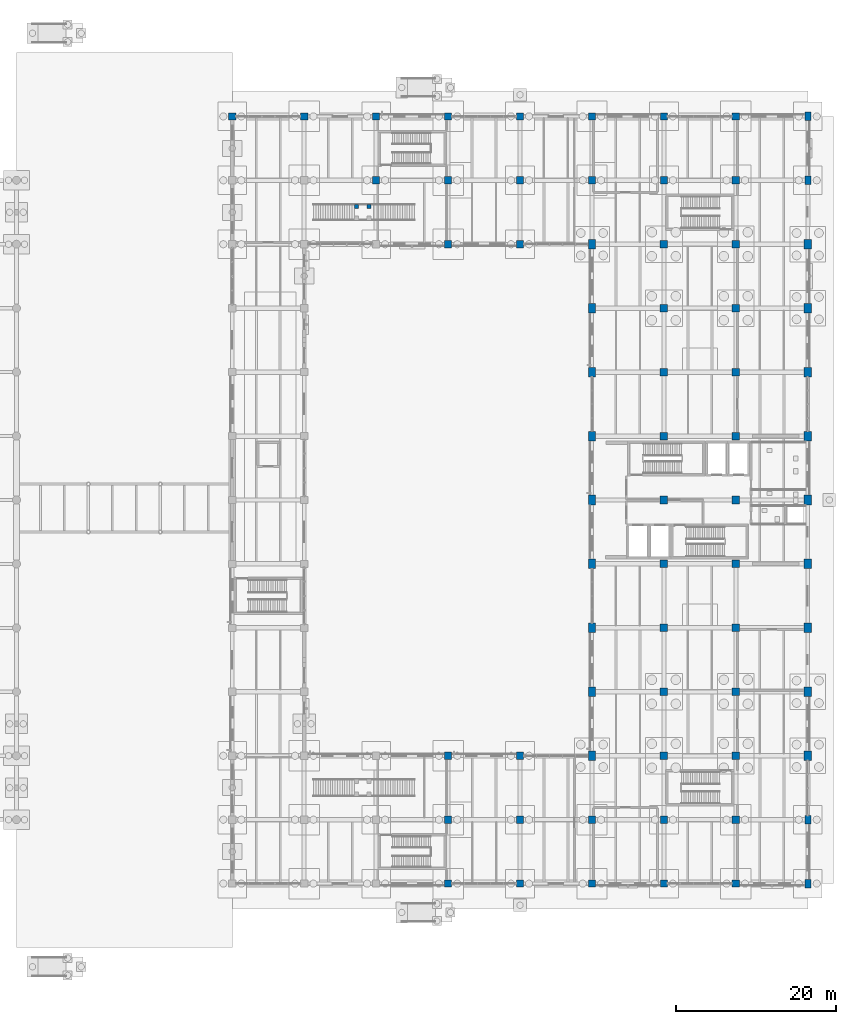
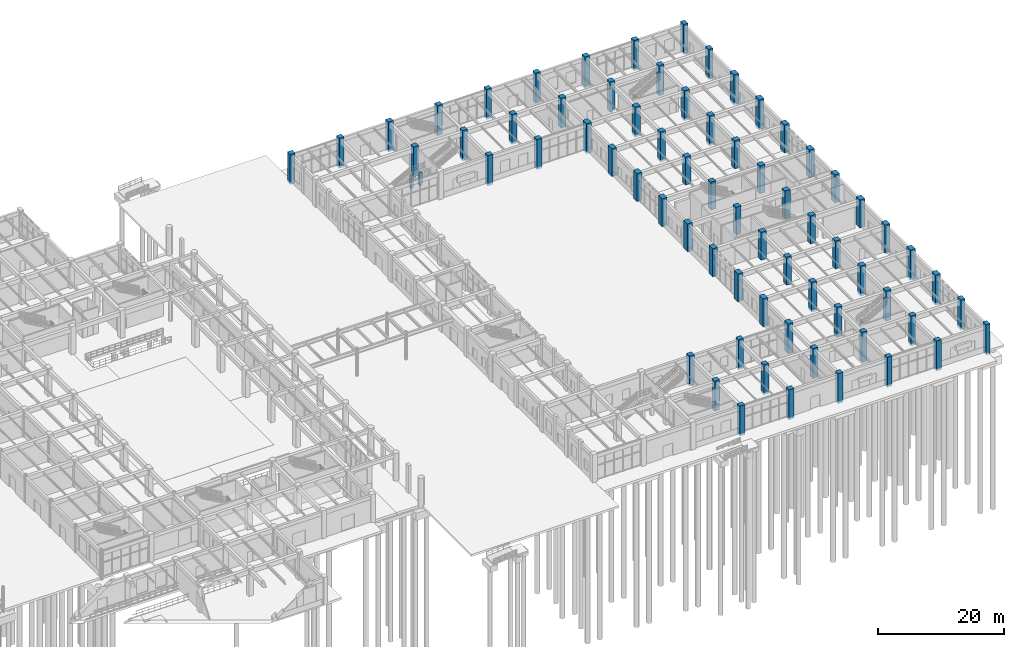
# One storey, part 15 of 121: 70 columns.
"""IFC4 building model written with IfcOpenShell, lengths in metres."""

import ifcopenshell
import ifcopenshell.guid

model = None  # the IFC model being written
_history = None  # IfcOwnerHistory: only IFC2X3 demands one
_inside = {}  # id of a spatial element -> (the spatial element, [elements in it])
_under = {}  # id of a project, library or spatial element -> (it, [spatial elements below it])
_declared = {}  # id of a project -> (the project, [libraries it declares])
_typed = {}  # id of a type object -> (the type object, [elements of that type])
_made_of = {}  # id of a material, layer set ... -> (it, [elements and type objects made of it])


def new_model(schema):
    """Start an empty IFC model of exactly this schema.

    Asked for "IFC4X3", IfcOpenShell would pick the latest addendum, in which some entities
    have other attributes; the version numbers below select the first issue.
    IFC2X3 requires an IfcOwnerHistory on every rooted entity: one is made here for all.
    """
    global model, _history
    if schema == "IFC4X3":
        model = ifcopenshell.file(schema_version=(4, 3, 0, 0))
    else:
        model = ifcopenshell.file(schema=schema)
    _inside.clear()
    _under.clear()
    _declared.clear()
    _typed.clear()
    _made_of.clear()
    _history = None
    if model.schema == "IFC2X3":
        org = make("IfcOrganization", Name="unknown")
        user = make(
            "IfcPersonAndOrganization",
            ThePerson=make("IfcPerson", FamilyName="unknown"),
            TheOrganization=org,
        )
        app = make(
            "IfcApplication",
            ApplicationDeveloper=org,
            Version="unknown",
            ApplicationFullName="unknown",
            ApplicationIdentifier="unknown",
        )
        _history = make(
            "IfcOwnerHistory",
            OwningUser=user,
            OwningApplication=app,
            ChangeAction="ADDED",
            CreationDate=0,
        )
    return model


def make(cls, **values):
    """One entity of the class cls with the attributes given. An attribute that is None is left unset."""
    return model.create_entity(
        cls, **{name: value for name, value in values.items() if value is not None}
    )


def rooted(cls, **values):
    """An entity with a GlobalId (a new one), such as an element, a storey or a relation."""
    return make(cls, GlobalId=ifcopenshell.guid.new(), OwnerHistory=_history, **values)


def si_unit(unit_type, name, prefix=None):
    """IfcSIUnit, for example si_unit("LENGTHUNIT", "METRE", prefix="MILLI")."""
    return make("IfcSIUnit", UnitType=unit_type, Prefix=prefix, Name=name)


def derived_unit(unit_type, elements):
    """IfcDerivedUnit: a product of units, each with its exponent."""
    return make(
        "IfcDerivedUnit",
        Elements=[
            make("IfcDerivedUnitElement", Unit=unit, Exponent=power)
            for unit, power in elements
        ],
        UnitType=unit_type,
    )


def assignment(units):
    """IfcUnitAssignment: the units of a project."""
    return None if units is None else make("IfcUnitAssignment", Units=units)


def point(xyz):
    """IfcCartesianPoint."""
    return None if xyz is None else make("IfcCartesianPoint", Coordinates=xyz)


def direction(xyz):
    """IfcDirection."""
    return None if xyz is None else make("IfcDirection", DirectionRatios=xyz)


def frame(location, z_axis=None, x_axis=None):
    """IfcAxis2Placement3D, a coordinate frame: its origin and axes. An axis left out is left unset."""
    return make(
        "IfcAxis2Placement3D",
        Location=point(location),
        Axis=direction(z_axis),
        RefDirection=direction(x_axis),
    )


def frame_2d(location, x_axis=None):
    """IfcAxis2Placement2D, a coordinate frame in the plane: its origin and x axis."""
    return make(
        "IfcAxis2Placement2D", Location=point(location), RefDirection=direction(x_axis)
    )


def origin():
    """The frame at (0, 0, 0) with its axes left unset."""
    return frame((0.0, 0.0, 0.0))


def origin_2d():
    """The frame at (0, 0) in the plane with its x axis left unset."""
    return frame_2d((0.0, 0.0))


def place(relative_to, where):
    """IfcLocalPlacement: puts the frame where relative to a parent placement (None: the world)."""
    return make(
        "IfcLocalPlacement", PlacementRelTo=relative_to, RelativePlacement=where
    )


def context(
    kind, dimensions, precision=None, world=None, true_north=None, identifier=None
):
    """IfcGeometricRepresentationContext, for example the 3D "Model" context."""
    return make(
        "IfcGeometricRepresentationContext",
        ContextIdentifier=identifier,
        ContextType=kind,
        CoordinateSpaceDimension=dimensions,
        Precision=precision,
        WorldCoordinateSystem=world,
        TrueNorth=true_north,
    )


def subcontext(parent, identifier, kind, view, scale=None):
    """IfcGeometricRepresentationSubContext, for example "Body" below "Model"."""
    return make(
        "IfcGeometricRepresentationSubContext",
        ContextIdentifier=identifier,
        ContextType=kind,
        ParentContext=parent,
        TargetScale=scale,
        TargetView=view,
    )


def project(units=None, contexts=None):
    """IfcProject with its units and contexts."""
    return rooted(
        "IfcProject",
        Name="project",
        RepresentationContexts=contexts,
        UnitsInContext=assignment(units),
    )


def spatial(cls, under=None, at=None, **own):
    """A site, building, storey or space (cls), placed at a placement, below another one or the project."""
    s = rooted(cls, ObjectPlacement=at, **own)
    if under is not None:
        _under.setdefault(under.id(), (under, []))[1].append(s)
    return s


def profile(cls, at=None, kind="AREA", **sizes):
    """A parametric profile (cls). Its sizes go by their IFC names, for example OverallWidth=200.0."""
    return make(cls, ProfileType=kind, Position=at, **sizes)


def rectangle(**sizes):
    """IfcRectangleProfileDef."""
    return profile("IfcRectangleProfileDef", **sizes)


def extrude(swept, where, along, depth):
    """IfcExtrudedAreaSolid: the profile swept, set in the frame where, extruded along a direction by depth."""
    return make(
        "IfcExtrudedAreaSolid",
        SweptArea=swept,
        Position=where,
        ExtrudedDirection=direction(along),
        Depth=depth,
    )


def shape(context_of_items, identifier, shape_type, items):
    """IfcShapeRepresentation: the items that make up one representation, for example the "Body"."""
    return make(
        "IfcShapeRepresentation",
        ContextOfItems=context_of_items,
        RepresentationIdentifier=identifier,
        RepresentationType=shape_type,
        Items=items,
    )


def material(Name=None, Category=None):
    """IfcMaterial."""
    return make("IfcMaterial", Name=Name, Category=Category)


def material_profile(
    of_material, cross_section, Name=None, Category=None, Priority=None
):
    """IfcMaterialProfile: a cross section and its material."""
    return make(
        "IfcMaterialProfile",
        Name=Name,
        Material=of_material,
        Profile=cross_section,
        Priority=Priority,
        Category=Category,
    )


def profile_set(profiles, Name=None, composite=None):
    """IfcMaterialProfileSet."""
    return make(
        "IfcMaterialProfileSet",
        Name=Name,
        MaterialProfiles=profiles,
        CompositeProfile=composite,
    )


def made_of(thing, what):
    """Note that an element or type object is made of a material, layer set ...; save() writes the relation."""
    if what is not None:
        _made_of.setdefault(what.id(), (what, []))[1].append(thing)
    return thing


def type_object(cls, material=None, **own):
    """A type object (cls), such as IfcWallType, which elements share."""
    return made_of(rooted(cls, **own), material)


def element(
    cls,
    number,
    at=None,
    inside=None,
    cuts=None,
    type_object=None,
    material=None,
    context=None,
    identifier="Body",
    shape_type=None,
    held_by="IfcProductDefinitionShape",
    body=None,
    shapes=None,
    **own,
):
    """One element of the class cls, such as IfcWall. Its Tag is "e" and its number.

    at: its placement. inside: the storey or other place that contains it. cuts: it is an
    opening in that element (IfcRelVoidsElement). A single representation is given by context,
    identifier, shape_type and body (its items); several are given by shapes. held_by: the class
    of the entity that holds the representations. save() writes the other relations.
    """
    e = rooted(cls, Tag="e%d" % number, ObjectPlacement=at, **own)
    if body is not None:
        shapes = [shape(context, identifier, shape_type, body)]
    if shapes is not None:
        e.Representation = make(held_by, Representations=shapes)
    if inside is not None:
        _inside.setdefault(inside.id(), (inside, []))[1].append(e)
    if cuts is not None:
        rooted(
            "IfcRelVoidsElement", RelatingBuildingElement=cuts, RelatedOpeningElement=e
        )
    if type_object is not None:
        _typed.setdefault(type_object.id(), (type_object, []))[1].append(e)
    return made_of(e, material)


def aggregate(whole, parts):
    """IfcRelAggregates: a whole, such as a stair, and the parts it consists of."""
    return rooted("IfcRelAggregates", RelatingObject=whole, RelatedObjects=parts)


def save(model, path):
    """Write the relations noted so far, then the file.

    IfcRelAggregates (storeys below a building ...), IfcRelContainedInSpatialStructure (elements
    in a storey), IfcRelDefinesByType, IfcRelAssociatesMaterial and IfcRelDeclares: one each for
    every whole, place, type object, material and project.
    """
    for whole, parts in _under.values():
        aggregate(whole, parts)
    for where, things in _inside.values():
        rooted(
            "IfcRelContainedInSpatialStructure",
            RelatedElements=things,
            RelatingStructure=where,
        )
    for kind, things in _typed.values():
        rooted("IfcRelDefinesByType", RelatedObjects=things, RelatingType=kind)
    for what, things in _made_of.values():
        rooted("IfcRelAssociatesMaterial", RelatedObjects=things, RelatingMaterial=what)
    for by, libraries in _declared.values():
        rooted("IfcRelDeclares", RelatingContext=by, RelatedDefinitions=libraries)
    model.write(path)


model = new_model("IFC4")

# Units and contexts
model_context = context("Model", 3, precision=1e-05, world=origin(), true_north=direction((0.0, 1.0)))
body_context = subcontext(model_context, "Body", "Model", "MODEL_VIEW")
ifc_project = project(units=[si_unit("LENGTHUNIT", "METRE"), si_unit("AREAUNIT", "SQUARE_METRE"), si_unit("VOLUMEUNIT", "CUBIC_METRE"), si_unit("PLANEANGLEUNIT", "RADIAN"), si_unit("MASSUNIT", "GRAM", prefix="KILO"), derived_unit("THERMALTRANSMITTANCEUNIT", [(si_unit("MASSUNIT", "GRAM", prefix="KILO"), 1), (si_unit("TIMEUNIT", "SECOND"), -3), (si_unit("THERMODYNAMICTEMPERATUREUNIT", "KELVIN"), -1)])], contexts=[model_context])

# Site, building, storey
site_placement = place(None, origin())
site = spatial("IfcSite", under=ifc_project, at=site_placement, CompositionType="ELEMENT")
building_placement = place(site_placement, origin())
building = spatial("IfcBuilding", under=site, at=building_placement, Name="Zhenchuan Archway Interchange", CompositionType="ELEMENT")
storey_placement = place(building_placement, origin())
storey = spatial("IfcBuildingStorey", under=building, at=storey_placement, Name="L00", CompositionType="ELEMENT", Elevation=0.0)

# Columns
ifc_material_1 = material(Name="Concrete C40", Category="concrete")
ifc_material_profile_1 = material_profile(ifc_material_1, rectangle(XDim=0.5, YDim=0.5, at=origin_2d()), Name="RC 500x500")
ifc_profile_set_1 = profile_set([ifc_material_profile_1], Name="Concrete C40")
column_type_1 = type_object("IfcColumnType", Name="COL_RC_500_LND", PredefinedType="COLUMN", material=ifc_profile_set_1)
for number, where, z_axis, x_axis, name in (
    (1, (114.530029296875, 92.699951171875, 0.0), (0.0, 0.0, 1.0), (1.0, 0.0, 0.0), "Stair ST-P6 landing support column 3"),
    (2, (116.1298828125, 92.699951171875, 0.0), (0.0, 0.0, 1.0), (1.0, 0.0, 0.0), "Stair ST-P6 landing support column 4"),
):
    element("IfcColumn", number, at=place(storey_placement, frame(where, z_axis=z_axis, x_axis=x_axis)), inside=storey, type_object=column_type_1, Name=name, PredefinedType="COLUMN", context=body_context, shape_type="SweptSolid", body=[
        extrude(rectangle(XDim=0.5, YDim=0.5, at=origin_2d()), origin(), (0.0, 0.0, 1.0), 2.47998046875),
    ])
ifc_material_2 = material(Name="Concrete C50", Category="concrete")
ifc_material_profile_2 = material_profile(ifc_material_2, rectangle(XDim=0.75, YDim=1.050048828125, at=origin_2d()), Name="RC 750x1050")
ifc_profile_set_2 = profile_set([ifc_material_profile_2], Name="Concrete C50")
column_type_2 = type_object("IfcColumnType", Name="COL_RC_750x1050", PredefinedType="COLUMN", material=ifc_profile_set_2)
for number, where, z_axis, x_axis, name in (
    (3, (171.0, 8.0, -0.419921875), (0.0, 0.0, 1.0), (1.0, 0.0, 0.0), "Column 20/B (L00)"),
    (4, (171.0, 16.0, -0.419921875), (0.0, 0.0, 1.0), (1.0, 0.0, 0.0), "Column 20/C (L00)"),
    (5, (171.0, 96.0, -0.419921875), (0.0, 0.0, 1.0), (1.0, 0.0, 0.0), "Column 20/N (L00)"),
    (6, (171.0, 104.0, -0.419921875), (0.0, 0.0, 1.0), (1.0, 0.0, 0.0), "Column 20/O (L00)"),
):
    element("IfcColumn", number, at=place(storey_placement, frame(where, z_axis=z_axis, x_axis=x_axis)), inside=storey, type_object=column_type_2, Name=name, PredefinedType="COLUMN", context=body_context, shape_type="SweptSolid", body=[
        extrude(rectangle(XDim=0.75, YDim=1.050048828125, at=origin_2d()), origin(), (0.0, 0.0, 1.0), 5.81982421875),
    ])
ifc_material_profile_3 = material_profile(ifc_material_2, rectangle(XDim=0.89990234375, YDim=0.89990234375, at=origin_2d()), Name="RC 900x900")
ifc_profile_set_3 = profile_set([ifc_material_profile_3], Name="Concrete C50")
column_type_3 = type_object("IfcColumnType", Name="COL_RC_900_T", PredefinedType="COLUMN", material=ifc_profile_set_3)
for number, where, z_axis, x_axis, name in (
    (7, (99.0, 104.0, -0.419921875), (0.0, 0.0, 1.0), (1.0, 0.0, 0.0), "Column 12/O (L00)"),
    (8, (108.0, 104.0, -0.419921875), (0.0, 0.0, 1.0), (1.0, 0.0, 0.0), "Column 13/O (L00)"),
    (9, (117.0, 96.0, -0.419921875), (0.0, 0.0, 1.0), (1.0, 0.0, 0.0), "Column 14/N (L00)"),
    (10, (117.0, 104.0, -0.419921875), (0.0, 0.0, 1.0), (1.0, 0.0, 0.0), "Column 14/O (L00)"),
    (11, (126.0, 8.0, -0.419921875), (0.0, 0.0, 1.0), (1.0, 0.0, 0.0), "Column 15/B (L00)"),
    (12, (126.0, 16.0, -0.419921875), (0.0, 0.0, 1.0), (1.0, 0.0, 0.0), "Column 15/C (L00)"),
    (13, (126.0, 24.0, -0.419921875), (0.0, 0.0, 1.0), (1.0, 0.0, 0.0), "Column 15/D (L00)"),
    (14, (126.0, 88.0, -0.419921875), (0.0, 0.0, 1.0), (1.0, 0.0, 0.0), "Column 15/M (L00)"),
    (15, (126.0, 96.0, -0.419921875), (0.0, 0.0, 1.0), (1.0, 0.0, 0.0), "Column 15/N (L00)"),
    (16, (126.0, 104.0, -0.419921875), (0.0, 0.0, 1.0), (1.0, 0.0, 0.0), "Column 15/O (L00)"),
    (17, (135.0, 8.0, -0.419921875), (0.0, 0.0, 1.0), (1.0, 0.0, 0.0), "Column 16/B (L00)"),
    (18, (135.0, 16.0, -0.419921875), (0.0, 0.0, 1.0), (1.0, 0.0, 0.0), "Column 16/C (L00)"),
    (19, (135.0, 24.0, -0.419921875), (0.0, 0.0, 1.0), (1.0, 0.0, 0.0), "Column 16/D (L00)"),
    (20, (135.0, 88.0, -0.419921875), (0.0, 0.0, 1.0), (1.0, 0.0, 0.0), "Column 16/M (L00)"),
    (21, (135.0, 96.0, -0.419921875), (0.0, 0.0, 1.0), (1.0, 0.0, 0.0), "Column 16/N (L00)"),
    (22, (135.0, 104.0, -0.419921875), (0.0, 0.0, 1.0), (1.0, 0.0, 0.0), "Column 16/O (L00)"),
    (23, (144.0, 8.0, -0.419921875), (0.0, 0.0, 1.0), (1.0, 0.0, 0.0), "Column 17/B (L00)"),
    (24, (144.0, 16.0, -0.419921875), (0.0, 0.0, 1.0), (1.0, 0.0, 0.0), "Column 17/C (L00)"),
    (25, (144.0, 96.0, -0.419921875), (0.0, 0.0, 1.0), (1.0, 0.0, 0.0), "Column 17/N (L00)"),
    (26, (144.0, 104.0, -0.419921875), (0.0, 0.0, 1.0), (1.0, 0.0, 0.0), "Column 17/O (L00)"),
    (27, (153.0, 8.0, -0.419921875), (0.0, 0.0, 1.0), (1.0, 0.0, 0.0), "Column 18/B (L00)"),
    (28, (153.0, 16.0, -0.419921875), (0.0, 0.0, 1.0), (1.0, 0.0, 0.0), "Column 18/C (L00)"),
    (29, (153.0, 96.0, -0.419921875), (0.0, 0.0, 1.0), (1.0, 0.0, 0.0), "Column 18/N (L00)"),
    (30, (153.0, 104.0, -0.419921875), (0.0, 0.0, 1.0), (1.0, 0.0, 0.0), "Column 18/O (L00)"),
    (31, (162.0, 8.0, -0.419921875), (0.0, 0.0, 1.0), (1.0, 0.0, 0.0), "Column 19/B (L00)"),
    (32, (162.0, 16.0, -0.419921875), (0.0, 0.0, 1.0), (1.0, 0.0, 0.0), "Column 19/C (L00)"),
    (33, (162.0, 96.0, -0.419921875), (0.0, 0.0, 1.0), (1.0, 0.0, 0.0), "Column 19/N (L00)"),
    (34, (162.0, 104.0, -0.419921875), (0.0, 0.0, 1.0), (1.0, 0.0, 0.0), "Column 19/O (L00)"),
):
    element("IfcColumn", number, at=place(storey_placement, frame(where, z_axis=z_axis, x_axis=x_axis)), inside=storey, type_object=column_type_3, Name=name, PredefinedType="COLUMN", context=body_context, shape_type="SweptSolid", body=[
        extrude(rectangle(XDim=0.89990234375, YDim=0.89990234375, at=origin_2d()), origin(), (0.0, 0.0, 1.0), 5.81982421875),
    ])
ifc_material_profile_4 = material_profile(ifc_material_2, rectangle(XDim=0.89990234375, YDim=1.199951171875, at=origin_2d()), Name="RC 900x1200")
ifc_profile_set_4 = profile_set([ifc_material_profile_4], Name="Concrete C50")
column_type_4 = type_object("IfcColumnType", Name="COL_RC_900x1200", PredefinedType="COLUMN", material=ifc_profile_set_4)
column_placement = place(storey_placement, frame((144.0, 24.0, -0.419921875), z_axis=(0.0, 0.0, 1.0), x_axis=(1.0, 0.0, 0.0)))
element("IfcColumn", 35, at=column_placement, inside=storey, type_object=column_type_4, Name="Column 17/D (L00)", PredefinedType="COLUMN", context=body_context, shape_type="SweptSolid", body=[
    extrude(rectangle(XDim=0.89990234375, YDim=1.199951171875, at=origin_2d()), origin(), (0.0, 0.0, 1.0), 5.81982421875),
])
for number, where, z_axis, x_axis, name in (
    (36, (144.0, 32.0, 0.0), (0.0, 0.0, 1.0), (1.0, 0.0, 0.0), "Column 17/E (L00)"),
    (37, (144.0, 40.0, 0.0), (0.0, 0.0, 1.0), (1.0, 0.0, 0.0), "Column 17/F (L00)"),
    (38, (144.0, 48.0, 0.0), (0.0, 0.0, 1.0), (1.0, 0.0, 0.0), "Column 17/G (L00)"),
    (39, (144.0, 56.0, 0.0), (0.0, 0.0, 1.0), (1.0, 0.0, 0.0), "Column 17/H (L00)"),
    (40, (144.0, 64.0, 0.0), (0.0, 0.0, 1.0), (1.0, 0.0, 0.0), "Column 17/J (L00)"),
    (41, (144.0, 72.0, 0.0), (0.0, 0.0, 1.0), (1.0, 0.0, 0.0), "Column 17/K (L00)"),
    (42, (144.0, 80.0, 0.0), (0.0, 0.0, 1.0), (1.0, 0.0, 0.0), "Column 17/L (L00)"),
):
    element("IfcColumn", number, at=place(storey_placement, frame(where, z_axis=z_axis, x_axis=x_axis)), inside=storey, type_object=column_type_4, Name=name, PredefinedType="COLUMN", context=body_context, shape_type="SweptSolid", body=[
        extrude(rectangle(XDim=0.89990234375, YDim=1.199951171875, at=origin_2d()), origin(), (0.0, 0.0, 1.0), 5.39990234375),
    ])
for number, where, z_axis, x_axis, name in (
    (43, (144.0, 88.0, -0.419921875), (0.0, 0.0, 1.0), (1.0, 0.0, 0.0), "Column 17/M (L00)"),
    (44, (171.0, 24.0, -0.419921875), (0.0, 0.0, 1.0), (1.0, 0.0, 0.0), "Column 20/D (L00)"),
    (45, (171.0, 32.0, -0.419921875), (0.0, 0.0, 1.0), (1.0, 0.0, 0.0), "Column 20/E (L00)"),
):
    element("IfcColumn", number, at=place(storey_placement, frame(where, z_axis=z_axis, x_axis=x_axis)), inside=storey, type_object=column_type_4, Name=name, PredefinedType="COLUMN", context=body_context, shape_type="SweptSolid", body=[
        extrude(rectangle(XDim=0.89990234375, YDim=1.199951171875, at=origin_2d()), origin(), (0.0, 0.0, 1.0), 5.81982421875),
    ])
for number, where, z_axis, x_axis, name in (
    (46, (171.0, 40.0, 0.0), (0.0, 0.0, 1.0), (1.0, 0.0, 0.0), "Column 20/F (L00)"),
    (47, (171.0, 48.0, 0.0), (0.0, 0.0, 1.0), (1.0, 0.0, 0.0), "Column 20/G (L00)"),
    (48, (171.0, 56.0, 0.0), (0.0, 0.0, 1.0), (1.0, 0.0, 0.0), "Column 20/H (L00)"),
    (49, (171.0, 64.0, 0.0), (0.0, 0.0, 1.0), (1.0, 0.0, 0.0), "Column 20/J (L00)"),
    (50, (171.0, 72.0, 0.0), (0.0, 0.0, 1.0), (1.0, 0.0, 0.0), "Column 20/K (L00)"),
):
    element("IfcColumn", number, at=place(storey_placement, frame(where, z_axis=z_axis, x_axis=x_axis)), inside=storey, type_object=column_type_4, Name=name, PredefinedType="COLUMN", context=body_context, shape_type="SweptSolid", body=[
        extrude(rectangle(XDim=0.89990234375, YDim=1.199951171875, at=origin_2d()), origin(), (0.0, 0.0, 1.0), 5.39990234375),
    ])
for number, where, z_axis, x_axis, name in (
    (51, (171.0, 80.0, -0.419921875), (0.0, 0.0, 1.0), (1.0, 0.0, 0.0), "Column 20/L (L00)"),
    (52, (171.0, 88.0, -0.419921875), (0.0, 0.0, 1.0), (1.0, 0.0, 0.0), "Column 20/M (L00)"),
):
    element("IfcColumn", number, at=place(storey_placement, frame(where, z_axis=z_axis, x_axis=x_axis)), inside=storey, type_object=column_type_4, Name=name, PredefinedType="COLUMN", context=body_context, shape_type="SweptSolid", body=[
        extrude(rectangle(XDim=0.89990234375, YDim=1.199951171875, at=origin_2d()), origin(), (0.0, 0.0, 1.0), 5.81982421875),
    ])
ifc_material_profile_5 = material_profile(ifc_material_2, rectangle(XDim=0.949951171875, YDim=0.949951171875, at=origin_2d()), Name="RC 950x950")
ifc_profile_set_5 = profile_set([ifc_material_profile_5], Name="Concrete C50")
column_type_5 = type_object("IfcColumnType", Name="COL_RC_950", PredefinedType="COLUMN", material=ifc_profile_set_5)
for number, where, z_axis, x_axis, name in (
    (53, (153.0, 24.0, -0.419921875), (0.0, 0.0, 1.0), (1.0, 0.0, 0.0), "Column 18/D (L00)"),
    (54, (153.0, 32.0, -0.419921875), (0.0, 0.0, 1.0), (1.0, 0.0, 0.0), "Column 18/E (L00)"),
):
    element("IfcColumn", number, at=place(storey_placement, frame(where, z_axis=z_axis, x_axis=x_axis)), inside=storey, type_object=column_type_5, Name=name, PredefinedType="COLUMN", context=body_context, shape_type="SweptSolid", body=[
        extrude(rectangle(XDim=0.949951171875, YDim=0.949951171875, at=origin_2d()), origin(), (0.0, 0.0, 1.0), 5.81982421875),
    ])
for number, where, z_axis, x_axis, name in (
    (55, (153.0, 40.0, 0.0), (0.0, 0.0, 1.0), (1.0, 0.0, 0.0), "Column 18/F (L00)"),
    (56, (153.0, 48.0, 0.0), (0.0, 0.0, 1.0), (1.0, 0.0, 0.0), "Column 18/G (L00)"),
    (57, (153.0, 56.0, 0.0), (0.0, 0.0, 1.0), (1.0, 0.0, 0.0), "Column 18/H (L00)"),
    (58, (153.0, 64.0, 0.0), (0.0, 0.0, 1.0), (1.0, 0.0, 0.0), "Column 18/J (L00)"),
    (59, (153.0, 72.0, 0.0), (0.0, 0.0, 1.0), (1.0, 0.0, 0.0), "Column 18/K (L00)"),
):
    element("IfcColumn", number, at=place(storey_placement, frame(where, z_axis=z_axis, x_axis=x_axis)), inside=storey, type_object=column_type_5, Name=name, PredefinedType="COLUMN", context=body_context, shape_type="SweptSolid", body=[
        extrude(rectangle(XDim=0.949951171875, YDim=0.949951171875, at=origin_2d()), origin(), (0.0, 0.0, 1.0), 5.39990234375),
    ])
for number, where, z_axis, x_axis, name in (
    (60, (153.0, 80.0, -0.419921875), (0.0, 0.0, 1.0), (1.0, 0.0, 0.0), "Column 18/L (L00)"),
    (61, (153.0, 88.0, -0.419921875), (0.0, 0.0, 1.0), (1.0, 0.0, 0.0), "Column 18/M (L00)"),
    (62, (162.0, 24.0, -0.419921875), (0.0, 0.0, 1.0), (1.0, 0.0, 0.0), "Column 19/D (L00)"),
    (63, (162.0, 32.0, -0.419921875), (0.0, 0.0, 1.0), (1.0, 0.0, 0.0), "Column 19/E (L00)"),
):
    element("IfcColumn", number, at=place(storey_placement, frame(where, z_axis=z_axis, x_axis=x_axis)), inside=storey, type_object=column_type_5, Name=name, PredefinedType="COLUMN", context=body_context, shape_type="SweptSolid", body=[
        extrude(rectangle(XDim=0.949951171875, YDim=0.949951171875, at=origin_2d()), origin(), (0.0, 0.0, 1.0), 5.81982421875),
    ])
for number, where, z_axis, x_axis, name in (
    (64, (162.0, 40.0, 0.0), (0.0, 0.0, 1.0), (1.0, 0.0, 0.0), "Column 19/F (L00)"),
    (65, (162.0, 48.0, 0.0), (0.0, 0.0, 1.0), (1.0, 0.0, 0.0), "Column 19/G (L00)"),
    (66, (162.0, 56.0, 0.0), (0.0, 0.0, 1.0), (1.0, 0.0, 0.0), "Column 19/H (L00)"),
    (67, (162.0, 64.0, 0.0), (0.0, 0.0, 1.0), (1.0, 0.0, 0.0), "Column 19/J (L00)"),
    (68, (162.0, 72.0, 0.0), (0.0, 0.0, 1.0), (1.0, 0.0, 0.0), "Column 19/K (L00)"),
):
    element("IfcColumn", number, at=place(storey_placement, frame(where, z_axis=z_axis, x_axis=x_axis)), inside=storey, type_object=column_type_5, Name=name, PredefinedType="COLUMN", context=body_context, shape_type="SweptSolid", body=[
        extrude(rectangle(XDim=0.949951171875, YDim=0.949951171875, at=origin_2d()), origin(), (0.0, 0.0, 1.0), 5.39990234375),
    ])
for number, where, z_axis, x_axis, name in (
    (69, (162.0, 80.0, -0.419921875), (0.0, 0.0, 1.0), (1.0, 0.0, 0.0), "Column 19/L (L00)"),
    (70, (162.0, 88.0, -0.419921875), (0.0, 0.0, 1.0), (1.0, 0.0, 0.0), "Column 19/M (L00)"),
):
    element("IfcColumn", number, at=place(storey_placement, frame(where, z_axis=z_axis, x_axis=x_axis)), inside=storey, type_object=column_type_5, Name=name, PredefinedType="COLUMN", context=body_context, shape_type="SweptSolid", body=[
        extrude(rectangle(XDim=0.949951171875, YDim=0.949951171875, at=origin_2d()), origin(), (0.0, 0.0, 1.0), 5.81982421875),
    ])

save(model, "model.ifc")
